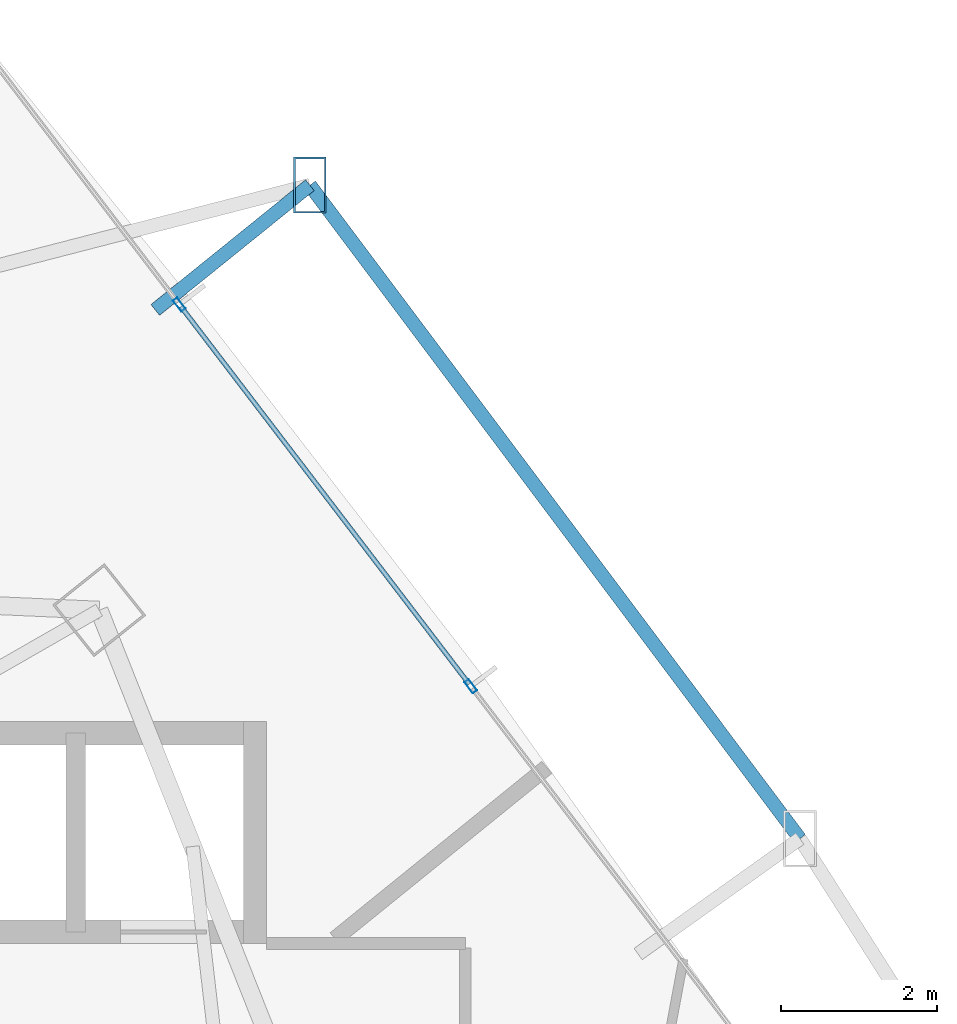
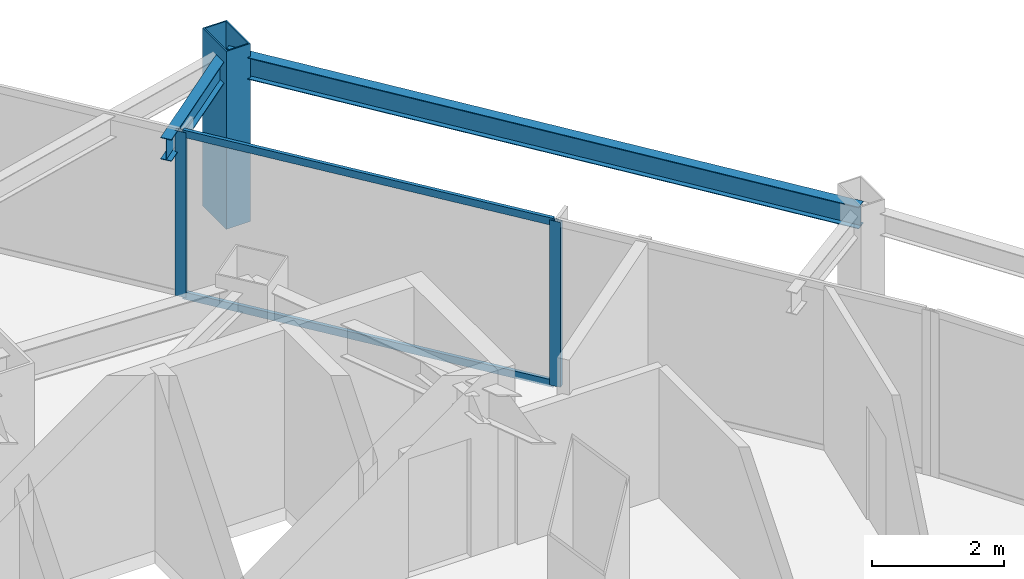
# One storey, part 27 of 34: 5 members, 2 beams, 1 element without a shape of its own.
"""IFC4 building model written with IfcOpenShell, lengths in metres."""

from ifc_helpers import new_model, si_unit, direction, frame, origin, origin_2d, place, context, subcontext, project, spatial, hollow_rectangle, i_section, extrude, material, layer, layer_set, material_profile, profile_set, type_object, element, aggregate, save


model = new_model("IFC4")

# Units and contexts
model_context = context("Model", 3, precision=1e-05, world=origin(), true_north=direction((0.0, 1.0)))
body_context = subcontext(model_context, "Body", "Model", "MODEL_VIEW")
ifc_project = project(units=[si_unit("LENGTHUNIT", "METRE"), si_unit("AREAUNIT", "SQUARE_METRE"), si_unit("VOLUMEUNIT", "CUBIC_METRE"), si_unit("PLANEANGLEUNIT", "RADIAN"), si_unit("MASSUNIT", "GRAM", prefix="KILO")], contexts=[model_context])

# Site, building, storey
site_placement = place(None, origin())
site = spatial("IfcSite", under=ifc_project, at=site_placement, CompositionType="ELEMENT")
building_placement = place(site_placement, origin())
building = spatial("IfcBuilding", under=site, at=building_placement, Name="Orvanel Arch Residences", CompositionType="ELEMENT")
storey_placement = place(building_placement, frame((0.0, 0.0, 77.449951171875)))
storey = spatial("IfcBuildingStorey", under=building, at=storey_placement, Name="L21", CompositionType="ELEMENT", Elevation=77.449951171875)

# Member
ifc_material_1 = material(Name="Structural steel AS/NZS 3678 Grade 350", Category="steel")
ifc_material_profile_1 = material_profile(ifc_material_1, hollow_rectangle(XDim=0.419921875, YDim=0.719970703125, WallThickness=0.02490234375, at=origin_2d()), Name="RHS720x420x25")
ifc_profile_set_1 = profile_set([ifc_material_profile_1], Name="Structural steel AS/NZS 3678 Grade 350")
member_type_1 = type_object("IfcMemberType", Name="CH-720RHS-EXT", PredefinedType="CHORD", material=ifc_profile_set_1)
member_1_placement = place(storey_placement, frame((40.654052734375, 46.632080078125, 0.0), z_axis=(0.0, 0.0, 1.0), x_axis=(1.0, 0.0, 0.0)))
element("IfcMember", 1, at=member_1_placement, inside=storey, type_object=member_type_1, Name="L21 Outer Perimeter Frame Post 12", PredefinedType="CHORD", context=body_context, shape_type="SweptSolid", body=[
    extrude(hollow_rectangle(XDim=0.419921875, YDim=0.719970703125, WallThickness=0.02490234375, at=origin_2d()), origin(), (0.0, 0.0, 1.0), 3.300048828125),
])

# Curtain wall, members
ifc_material_2 = material(Name="Bronze-anodised aluminium AA6063-T6", Category="aluminium")
ifc_layer = layer(ifc_material_2, 0.179931640625)
ifc_layer_set = layer_set([ifc_layer], Name="Bronze-anodised aluminium AA6063-T6")
curtain_wall_type = type_object("IfcCurtainWallType", Name="CW2-LOW-SYS", PredefinedType="NOTDEFINED", material=ifc_layer_set)
curtain_wall_placement = place(storey_placement, origin())
curtain_wall = element("IfcCurtainWall", 2, at=curtain_wall_placement, inside=storey, type_object=curtain_wall_type, Name="L21 CW2-LOW-SYS Unitised Curtain Wall", PredefinedType="NOTDEFINED")
ifc_material_profile_2 = material_profile(ifc_material_2, hollow_rectangle(XDim=0.070068359375, YDim=0.179931640625, WallThickness=0.00439453125, at=origin_2d()), Name="ALU180x70x4.5")
ifc_profile_set_2 = profile_set([ifc_material_profile_2], Name="Bronze-anodised aluminium AA6063-T6")
member_type_2 = type_object("IfcMemberType", Name="MUL-180x70", PredefinedType="MULLION", material=ifc_profile_set_2)
member_2_placement = place(storey_placement, frame((42.72021484375, 40.201416015625, 0.0), z_axis=(0.0, 0.0, 1.0), x_axis=(-0.794739834664, -0.606950241122, 0.0)))
member_2 = element("IfcMember", 3, at=member_2_placement, type_object=member_type_2, Name="CW-S2 mullion 2", PredefinedType="MULLION", context=body_context, shape_type="SweptSolid", body=[
    extrude(hollow_rectangle(XDim=0.070068359375, YDim=0.179931640625, WallThickness=0.00439453125, at=origin_2d()), origin(), (0.0, 0.0, 1.0), 3.06005859375),
])
member_3_placement = place(storey_placement, frame((38.978759765625, 45.1005859375, 0.0), z_axis=(0.0, 0.0, 1.0), x_axis=(-0.794739834664, -0.606950241122, 0.0)))
member_3 = element("IfcMember", 4, at=member_3_placement, type_object=member_type_2, Name="CW-S2 mullion 3", PredefinedType="MULLION", context=body_context, shape_type="SweptSolid", body=[
    extrude(hollow_rectangle(XDim=0.070068359375, YDim=0.179931640625, WallThickness=0.00439453125, at=origin_2d()), origin(), (0.0, 0.0, 1.0), 3.06005859375),
])

# Beams
ifc_material_3 = material(Name="Structural steel AS/NZS 3679.1 Grade 300 (300 MPa)", Category="steel")
ifc_material_profile_3 = material_profile(ifc_material_3, i_section(OverallWidth=0.177978515625, OverallDepth=0.406005859375, WebThickness=0.0078125, FlangeThickness=0.0126953125, at=origin_2d()), Name="410UB59.7")
ifc_profile_set_3 = profile_set([ifc_material_profile_3], Name="Structural steel AS/NZS 3679.1 Grade 300 (300 MPa)")
beam_type = type_object("IfcBeamType", Name="OB-410UB-EXT", PredefinedType="SPANDREL", material=ifc_profile_set_3)
beam_1_placement = place(storey_placement, frame((46.943115234375, 38.2451171875, 2.85693359375), z_axis=(-0.599929198552, 0.800053096191, 0.0), x_axis=(-0.800053096191, -0.599929198552, 0.0)))
element("IfcBeam", 5, at=beam_1_placement, inside=storey, type_object=beam_type, Name="L21 Outer Perimeter Floor Ring Beam 11", PredefinedType="SPANDREL", context=body_context, shape_type="SweptSolid", body=[
    extrude(i_section(OverallWidth=0.177978515625, OverallDepth=0.406005859375, WebThickness=0.0078125, FlangeThickness=0.0126953125, at=origin_2d()), origin(), (0.0, 0.0, 1.0), 10.48291015625),
])
beam_2_placement = place(storey_placement, frame((38.669921875, 45.031005859375, 2.85693359375), z_axis=(0.778227345509, 0.627982642039, 0.0), x_axis=(-0.627982642039, 0.778227345509, 0.0)))
element("IfcBeam", 6, at=beam_2_placement, inside=storey, type_object=beam_type, Name="L21 Outer Frame Radial Tie Beam 12", PredefinedType="SPANDREL", context=body_context, shape_type="SweptSolid", body=[
    extrude(i_section(OverallWidth=0.177978515625, OverallDepth=0.406005859375, WebThickness=0.0078125, FlangeThickness=0.0126953125, at=origin_2d()), origin(), (0.0, 0.0, 1.0), 2.549560546875),
])

# Member
ifc_material_profile_4 = material_profile(ifc_material_2, hollow_rectangle(XDim=0.06005859375, YDim=0.135009765625, WallThickness=0.00390625, at=origin_2d()), Name="ALU135x60x4")
ifc_profile_set_4 = profile_set([ifc_material_profile_4], Name="Bronze-anodised aluminium AA6063-T6")
member_type_3 = type_object("IfcMemberType", Name="TRN-135x60", PredefinedType="USERDEFINED", material=ifc_profile_set_4)
member_4_placement = place(storey_placement, frame((42.698974609375, 40.229248046875, 0.030029296875), z_axis=(-0.606944427707, 0.79474427439, 0.0), x_axis=(-0.79474427439, -0.606944427707, 0.0)))
member_4 = element("IfcMember", 7, at=member_4_placement, type_object=member_type_3, Name="CW-S2 transom 2.1", ObjectType="TRANSOM", PredefinedType="USERDEFINED", context=body_context, shape_type="SweptSolid", body=[
    extrude(hollow_rectangle(XDim=0.06005859375, YDim=0.135009765625, WallThickness=0.00390625, at=origin_2d()), origin(), (0.0, 0.0, 1.0), 6.094482421875),
])

member_5_placement = place(storey_placement, frame((42.698974609375, 40.229248046875, 3.030029296875), z_axis=(-0.606944427707, 0.79474427439, 0.0), x_axis=(-0.79474427439, -0.606944427707, 0.0)))
member_5 = element("IfcMember", 8, at=member_5_placement, type_object=member_type_3, Name="CW-S2 transom 2.2", ObjectType="TRANSOM", PredefinedType="USERDEFINED", context=body_context, shape_type="SweptSolid", body=[
    extrude(hollow_rectangle(XDim=0.06005859375, YDim=0.135009765625, WallThickness=0.00390625, at=origin_2d()), origin(), (0.0, 0.0, 1.0), 6.094482421875),
])

aggregate(curtain_wall, [member_2, member_3, member_4, member_5])

save(model, "model.ifc")
